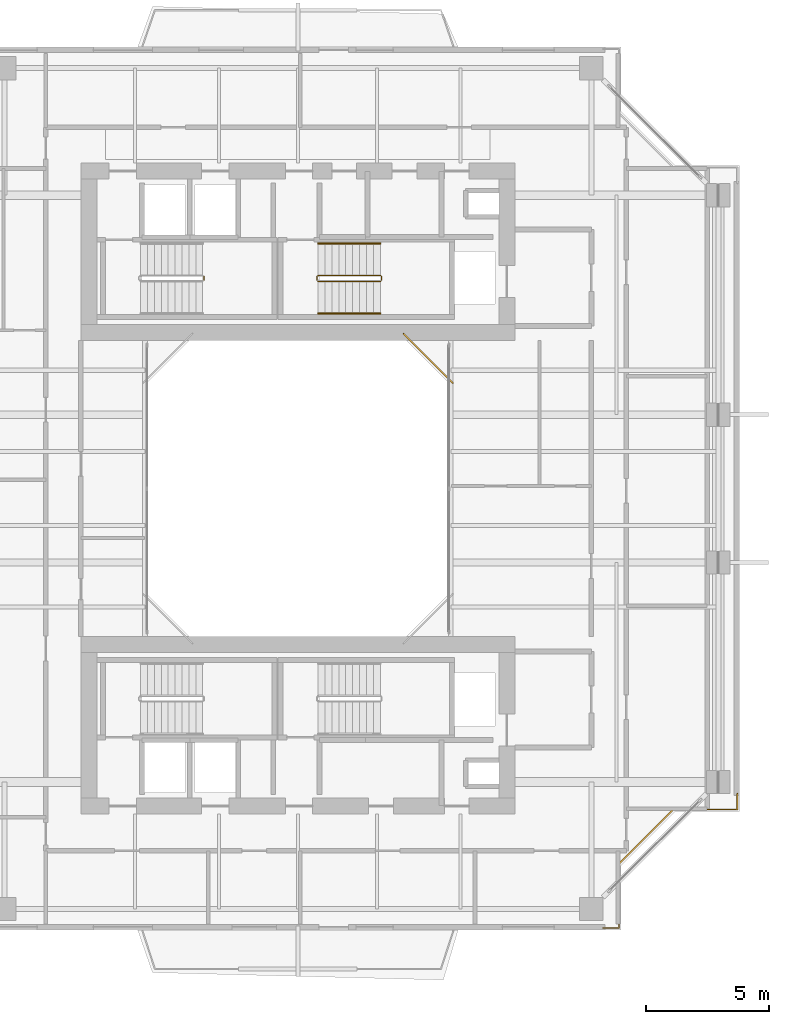
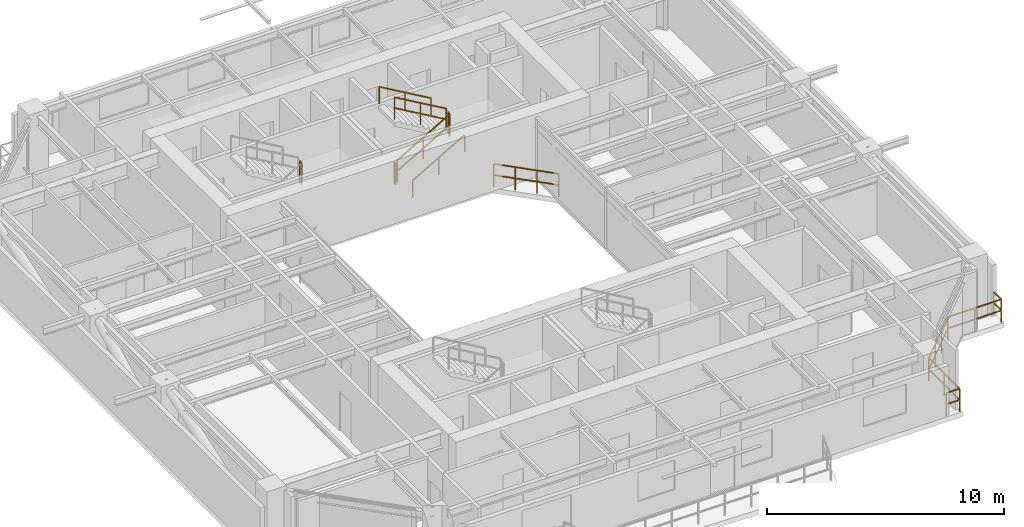
# One storey, part 13 of 14: 9 railings.
"""IFC4 building model written with IfcOpenShell, lengths in metres."""

from ifc_helpers import new_model, si_unit, direction, frame, origin, origin_2d, place, context, subcontext, project, spatial, rectangle, extrude, material, type_object, element, save


model = new_model("IFC4")

# Units and contexts
model_context = context("Model", 3, precision=1e-05, world=origin(), true_north=direction((0.0, 1.0)))
body_context = subcontext(model_context, "Body", "Model", "MODEL_VIEW")
ifc_project = project(units=[si_unit("LENGTHUNIT", "METRE"), si_unit("AREAUNIT", "SQUARE_METRE"), si_unit("VOLUMEUNIT", "CUBIC_METRE"), si_unit("PLANEANGLEUNIT", "RADIAN"), si_unit("MASSUNIT", "GRAM", prefix="KILO"), si_unit("THERMODYNAMICTEMPERATUREUNIT", "KELVIN"), si_unit("POWERUNIT", "WATT")], contexts=[model_context])

# Site, building, storey
site_placement = place(None, origin())
site = spatial("IfcSite", under=ifc_project, at=site_placement, CompositionType="ELEMENT")
building_placement = place(site_placement, origin())
building = spatial("IfcBuilding", under=site, at=building_placement, Name="Qiaomeng Ring Towers", CompositionType="ELEMENT")
storey_placement = place(building_placement, frame((0.0, 0.0, 176.25)))
storey = spatial("IfcBuildingStorey", under=building, at=storey_placement, Name="L51", CompositionType="ELEMENT", Elevation=176.25)

# Railings
ifc_material_1 = material(Name="Low-E pale-green laminated safety glass", Category="glass")
railing_type_1 = type_object("IfcRailingType", Name="ARC-RL-BAL1", PredefinedType="BALUSTRADE", material=ifc_material_1)
railing_1_placement = place(storey_placement, frame((25.280029296875, 27.280029296875, 0.0)))
element("IfcRailing", 1, at=railing_1_placement, inside=storey, type_object=railing_type_1, Name="L51 Balustrade ARC-BAL-WELL1-L51-2", PredefinedType="BALUSTRADE", context=body_context, shape_type="SweptSolid", body=[
    extrude(rectangle(XDim=0.048095703125, YDim=0.048095703125, at=origin_2d()), frame((0.0, 0.0, 1.17578125), z_axis=(-0.707106781187, 0.707106781187, 0.0), x_axis=(-0.707106781187, -0.707106781187, 0.0)), (0.0, 0.0, 1.0), 2.828369140625),
    extrude(rectangle(XDim=0.048095703125, YDim=0.048095703125, at=origin_2d()), frame((0.0, 0.0, 0.60009765625), z_axis=(-0.707106781187, 0.707106781187, 0.0), x_axis=(-0.707106781187, -0.707106781187, 0.0)), (0.0, 0.0, 1.0), 2.828369140625),
    extrude(rectangle(XDim=0.0419921875, YDim=0.0419921875, at=origin_2d()), origin(), (0.0, 0.0, 1.0), 1.15185546875),
    extrude(rectangle(XDim=0.0419921875, YDim=0.0419921875, at=origin_2d()), frame((-0.666748046875, 0.666748046875, 0.0)), (0.0, 0.0, 1.0), 1.15185546875),
    extrude(rectangle(XDim=0.0419921875, YDim=0.0419921875, at=origin_2d()), frame((-1.333251953125, 1.333251953125, 0.0)), (0.0, 0.0, 1.0), 1.15185546875),
    extrude(rectangle(XDim=0.0419921875, YDim=0.0419921875, at=origin_2d()), frame((-2.0, 2.0, 0.0)), (0.0, 0.0, 1.0), 1.15185546875),
])
railing_2_placement = place(storey_placement, frame((31.3701171875, 5.179931640625, 0.0)))
element("IfcRailing", 2, at=railing_2_placement, inside=storey, type_object=railing_type_1, Name="L51 Balustrade ARC-BAL-NOTCH1-L51-SE", PredefinedType="BALUSTRADE", context=body_context, shape_type="SweptSolid", body=[
    extrude(rectangle(XDim=0.048095703125, YDim=0.048095703125, at=origin_2d()), frame((0.0, 0.0, 1.17578125), z_axis=(1.0, 0.0, 0.0), x_axis=(0.0, 1.0, 0.0)), (0.0, 0.0, 1.0), 0.64990234375),
    extrude(rectangle(XDim=0.048095703125, YDim=0.048095703125, at=origin_2d()), frame((0.0, 0.0, 0.60009765625), z_axis=(1.0, 0.0, 0.0), x_axis=(0.0, 1.0, 0.0)), (0.0, 0.0, 1.0), 0.64990234375),
    extrude(rectangle(XDim=0.048095703125, YDim=0.048095703125, at=origin_2d()), frame((0.64990234375, 0.0, 1.17578125), z_axis=(0.0, 1.0, 0.0), x_axis=(-1.0, 0.0, 0.0)), (0.0, 0.0, 1.0), 2.60009765625),
    extrude(rectangle(XDim=0.048095703125, YDim=0.048095703125, at=origin_2d()), frame((0.64990234375, 0.0, 0.60009765625), z_axis=(0.0, 1.0, 0.0), x_axis=(-1.0, 0.0, 0.0)), (0.0, 0.0, 1.0), 2.60009765625),
    extrude(rectangle(XDim=0.048095703125, YDim=0.048095703125, at=origin_2d()), frame((0.64990234375, 2.60009765625, 1.17578125), z_axis=(0.707106781187, 0.707106781187, 0.0), x_axis=(-0.707106781187, 0.707106781187, 0.0)), (0.0, 0.0, 1.0), 3.111083984375),
    extrude(rectangle(XDim=0.048095703125, YDim=0.048095703125, at=origin_2d()), frame((0.64990234375, 2.60009765625, 0.60009765625), z_axis=(0.707106781187, 0.707106781187, 0.0), x_axis=(-0.707106781187, 0.707106781187, 0.0)), (0.0, 0.0, 1.0), 3.111083984375),
    extrude(rectangle(XDim=0.048095703125, YDim=0.048095703125, at=origin_2d()), frame((2.849853515625, 4.800048828125, 1.17578125), z_axis=(1.0, 0.0, 0.0), x_axis=(0.0, 1.0, 0.0)), (0.0, 0.0, 1.0), 2.60009765625),
    extrude(rectangle(XDim=0.048095703125, YDim=0.048095703125, at=origin_2d()), frame((2.849853515625, 4.800048828125, 0.60009765625), z_axis=(1.0, 0.0, 0.0), x_axis=(0.0, 1.0, 0.0)), (0.0, 0.0, 1.0), 2.60009765625),
    extrude(rectangle(XDim=0.048095703125, YDim=0.048095703125, at=origin_2d()), frame((5.449951171875, 4.800048828125, 1.17578125), z_axis=(0.0, 1.0, 0.0), x_axis=(-1.0, 0.0, 0.0)), (0.0, 0.0, 1.0), 0.64990234375),
    extrude(rectangle(XDim=0.048095703125, YDim=0.048095703125, at=origin_2d()), frame((5.449951171875, 4.800048828125, 0.60009765625), z_axis=(0.0, 1.0, 0.0), x_axis=(-1.0, 0.0, 0.0)), (0.0, 0.0, 1.0), 0.64990234375),
    extrude(rectangle(XDim=0.0419921875, YDim=0.0419921875, at=origin_2d()), origin(), (0.0, 0.0, 1.0), 1.15185546875),
    extrude(rectangle(XDim=0.0419921875, YDim=0.0419921875, at=origin_2d()), frame((0.64990234375, 0.0, 0.0)), (0.0, 0.0, 1.0), 1.15185546875),
    extrude(rectangle(XDim=0.0419921875, YDim=0.0419921875, at=origin_2d()), frame((0.64990234375, 1.300048828125, 0.0)), (0.0, 0.0, 1.0), 1.15185546875),
    extrude(rectangle(XDim=0.0419921875, YDim=0.0419921875, at=origin_2d()), frame((0.64990234375, 2.60009765625, 0.0)), (0.0, 0.0, 1.0), 1.15185546875),
    extrude(rectangle(XDim=0.0419921875, YDim=0.0419921875, at=origin_2d()), frame((1.38330078125, 3.33349609375, 0.0)), (0.0, 0.0, 1.0), 1.15185546875),
    extrude(rectangle(XDim=0.0419921875, YDim=0.0419921875, at=origin_2d()), frame((2.116455078125, 4.066650390625, 0.0)), (0.0, 0.0, 1.0), 1.15185546875),
    extrude(rectangle(XDim=0.0419921875, YDim=0.0419921875, at=origin_2d()), frame((2.849853515625, 4.800048828125, 0.0)), (0.0, 0.0, 1.0), 1.15185546875),
    extrude(rectangle(XDim=0.0419921875, YDim=0.0419921875, at=origin_2d()), frame((4.14990234375, 4.800048828125, 0.0)), (0.0, 0.0, 1.0), 1.15185546875),
    extrude(rectangle(XDim=0.0419921875, YDim=0.0419921875, at=origin_2d()), frame((5.449951171875, 4.800048828125, 0.0)), (0.0, 0.0, 1.0), 1.15185546875),
    extrude(rectangle(XDim=0.0419921875, YDim=0.0419921875, at=origin_2d()), frame((5.449951171875, 5.449951171875, 0.0)), (0.0, 0.0, 1.0), 1.15185546875),
])
ifc_material_2 = material(Name="Galvanised steel", Category="steel")
railing_type_2 = type_object("IfcRailingType", Name="ARC-RL-GUARD", PredefinedType="GUARDRAIL", material=ifc_material_2)
railing_3_placement = place(storey_placement, frame((15.18994140625, 31.449951171875, 1.625)))
element("IfcRailing", 3, at=railing_3_placement, inside=storey, type_object=railing_type_2, Name="L51 ST1 stair guard 2", PredefinedType="GUARDRAIL", context=body_context, shape_type="SweptSolid", body=[
    extrude(rectangle(XDim=0.048095703125, YDim=0.048095703125, at=origin_2d()), frame((0.0, 0.0, 1.1259765625), z_axis=(0.0, 1.0, 0.0), x_axis=(-1.0, 0.0, 0.0)), (0.0, 0.0, 1.0), 0.14013671875),
    extrude(rectangle(XDim=0.048095703125, YDim=0.048095703125, at=origin_2d()), frame((0.0, 0.0, 0.574951171875), z_axis=(0.0, 1.0, 0.0), x_axis=(-1.0, 0.0, 0.0)), (0.0, 0.0, 1.0), 0.14013671875),
    extrude(rectangle(XDim=0.0419921875, YDim=0.0419921875, at=origin_2d()), origin(), (0.0, 0.0, 1.0), 1.101806640625),
    extrude(rectangle(XDim=0.0419921875, YDim=0.0419921875, at=origin_2d()), frame((0.0, 0.14013671875, 0.0)), (0.0, 0.0, 1.0), 1.101806640625),
])
railing_4_placement = place(storey_placement, frame((19.820068359375, 31.39990234375, 0.16259765625)))
element("IfcRailing", 4, at=railing_4_placement, inside=storey, type_object=railing_type_2, Name="L51 ST2 stair guard 1", PredefinedType="GUARDRAIL", context=body_context, shape_type="SweptSolid", body=[
    extrude(rectangle(XDim=0.048095703125, YDim=0.048095703125, at=origin_2d()), frame((0.0, 0.0, 1.1259765625), z_axis=(0.864913338283, 0.0, 0.50192122615), x_axis=(0.0, 1.0, 0.0)), (0.0, 0.0, 1.0), 2.91357421875),
    extrude(rectangle(XDim=0.048095703125, YDim=0.048095703125, at=origin_2d()), frame((0.0, 0.0, 0.574951171875), z_axis=(0.864913338283, 0.0, 0.50192122615), x_axis=(0.0, 1.0, 0.0)), (0.0, 0.0, 1.0), 2.91357421875),
    extrude(rectangle(XDim=0.0419921875, YDim=0.0419921875, at=origin_2d()), origin(), (0.0, 0.0, 1.0), 1.101806640625),
    extrude(rectangle(XDim=0.0419921875, YDim=0.0419921875, at=origin_2d()), frame((1.260009765625, 0.0, 0.731201171875)), (0.0, 0.0, 1.0), 1.101806640625),
    extrude(rectangle(XDim=0.0419921875, YDim=0.0419921875, at=origin_2d()), frame((2.52001953125, 0.0, 1.46240234375)), (0.0, 0.0, 1.0), 1.101806640625),
])
railing_5_placement = place(storey_placement, frame((22.389892578125, 31.449951171875, 1.625)))
element("IfcRailing", 5, at=railing_5_placement, inside=storey, type_object=railing_type_2, Name="L51 ST2 stair guard 2", PredefinedType="GUARDRAIL", context=body_context, shape_type="SweptSolid", body=[
    extrude(rectangle(XDim=0.048095703125, YDim=0.048095703125, at=origin_2d()), frame((0.0, 0.0, 1.1259765625), z_axis=(0.0, 1.0, 0.0), x_axis=(-1.0, 0.0, 0.0)), (0.0, 0.0, 1.0), 0.14013671875),
    extrude(rectangle(XDim=0.048095703125, YDim=0.048095703125, at=origin_2d()), frame((0.0, 0.0, 0.574951171875), z_axis=(0.0, 1.0, 0.0), x_axis=(-1.0, 0.0, 0.0)), (0.0, 0.0, 1.0), 0.14013671875),
    extrude(rectangle(XDim=0.0419921875, YDim=0.0419921875, at=origin_2d()), origin(), (0.0, 0.0, 1.0), 1.101806640625),
    extrude(rectangle(XDim=0.0419921875, YDim=0.0419921875, at=origin_2d()), frame((0.0, 0.14013671875, 0.0)), (0.0, 0.0, 1.0), 1.101806640625),
])
railing_6_placement = place(storey_placement, frame((22.340087890625, 31.639892578125, 1.78759765625)))
element("IfcRailing", 6, at=railing_6_placement, inside=storey, type_object=railing_type_2, Name="L51 ST2 stair guard 3", PredefinedType="GUARDRAIL", context=body_context, shape_type="SweptSolid", body=[
    extrude(rectangle(XDim=0.048095703125, YDim=0.048095703125, at=origin_2d()), frame((0.0, 0.0, 1.1259765625), z_axis=(-0.864913338283, 0.0, 0.50192122615), x_axis=(0.0, -1.0, 0.0)), (0.0, 0.0, 1.0), 2.91357421875),
    extrude(rectangle(XDim=0.048095703125, YDim=0.048095703125, at=origin_2d()), frame((0.0, 0.0, 0.574951171875), z_axis=(-0.864913338283, 0.0, 0.50192122615), x_axis=(0.0, -1.0, 0.0)), (0.0, 0.0, 1.0), 2.91357421875),
    extrude(rectangle(XDim=0.0419921875, YDim=0.0419921875, at=origin_2d()), origin(), (0.0, 0.0, 1.0), 1.101806640625),
    extrude(rectangle(XDim=0.0419921875, YDim=0.0419921875, at=origin_2d()), frame((-1.260009765625, 0.0, 0.731201171875)), (0.0, 0.0, 1.0), 1.101806640625),
    extrude(rectangle(XDim=0.0419921875, YDim=0.0419921875, at=origin_2d()), frame((-2.52001953125, 0.0, 1.46240234375)), (0.0, 0.0, 1.0), 1.101806640625),
])
railing_7_placement = place(storey_placement, frame((19.77001953125, 31.449951171875, 0.0)))
element("IfcRailing", 7, at=railing_7_placement, inside=storey, type_object=railing_type_2, Name="L51 ST2 stair guard 4", PredefinedType="GUARDRAIL", context=body_context, shape_type="SweptSolid", body=[
    extrude(rectangle(XDim=0.048095703125, YDim=0.048095703125, at=origin_2d()), frame((0.0, 0.0, 1.1259765625), z_axis=(0.0, 1.0, 0.0), x_axis=(-1.0, 0.0, 0.0)), (0.0, 0.0, 1.0), 0.14013671875),
    extrude(rectangle(XDim=0.048095703125, YDim=0.048095703125, at=origin_2d()), frame((0.0, 0.0, 0.574951171875), z_axis=(0.0, 1.0, 0.0), x_axis=(-1.0, 0.0, 0.0)), (0.0, 0.0, 1.0), 0.14013671875),
    extrude(rectangle(XDim=0.0419921875, YDim=0.0419921875, at=origin_2d()), origin(), (0.0, 0.0, 1.0), 1.101806640625),
    extrude(rectangle(XDim=0.0419921875, YDim=0.0419921875, at=origin_2d()), frame((0.0, 0.14013671875, 0.0)), (0.0, 0.0, 1.0), 1.101806640625),
])
ifc_material_3 = material(Name="Stainless steel 316", Category="steel")
railing_type_3 = type_object("IfcRailingType", Name="ARC-RL-HAND", PredefinedType="HANDRAIL", material=ifc_material_3)
railing_8_placement = place(storey_placement, frame((19.820068359375, 30.10009765625, 0.16259765625)))
element("IfcRailing", 8, at=railing_8_placement, inside=storey, type_object=railing_type_3, Name="L51 ST2 stair handrail 1", PredefinedType="HANDRAIL", context=body_context, shape_type="SweptSolid", body=[
    extrude(rectangle(XDim=0.048095703125, YDim=0.048095703125, at=origin_2d()), frame((0.0, 0.0, 0.8759765625), z_axis=(0.864913338283, 0.0, 0.50192122615), x_axis=(0.0, 1.0, 0.0)), (0.0, 0.0, 1.0), 2.91357421875),
    extrude(rectangle(XDim=0.0419921875, YDim=0.0419921875, at=origin_2d()), origin(), (0.0, 0.0, 1.0), 0.851806640625),
    extrude(rectangle(XDim=0.0419921875, YDim=0.0419921875, at=origin_2d()), frame((1.260009765625, 0.0, 0.731201171875)), (0.0, 0.0, 1.0), 0.851806640625),
    extrude(rectangle(XDim=0.0419921875, YDim=0.0419921875, at=origin_2d()), frame((2.52001953125, 0.0, 1.46240234375)), (0.0, 0.0, 1.0), 0.851806640625),
])
railing_9_placement = place(storey_placement, frame((22.340087890625, 32.93994140625, 1.78759765625)))
element("IfcRailing", 9, at=railing_9_placement, inside=storey, type_object=railing_type_3, Name="L51 ST2 stair handrail 2", PredefinedType="HANDRAIL", context=body_context, shape_type="SweptSolid", body=[
    extrude(rectangle(XDim=0.048095703125, YDim=0.048095703125, at=origin_2d()), frame((0.0, 0.0, 0.8759765625), z_axis=(-0.864913338283, 0.0, 0.50192122615), x_axis=(0.0, -1.0, 0.0)), (0.0, 0.0, 1.0), 2.91357421875),
    extrude(rectangle(XDim=0.0419921875, YDim=0.0419921875, at=origin_2d()), origin(), (0.0, 0.0, 1.0), 0.851806640625),
    extrude(rectangle(XDim=0.0419921875, YDim=0.0419921875, at=origin_2d()), frame((-1.260009765625, 0.0, 0.731201171875)), (0.0, 0.0, 1.0), 0.851806640625),
    extrude(rectangle(XDim=0.0419921875, YDim=0.0419921875, at=origin_2d()), frame((-2.52001953125, 0.0, 1.46240234375)), (0.0, 0.0, 1.0), 0.851806640625),
])

save(model, "model.ifc")
